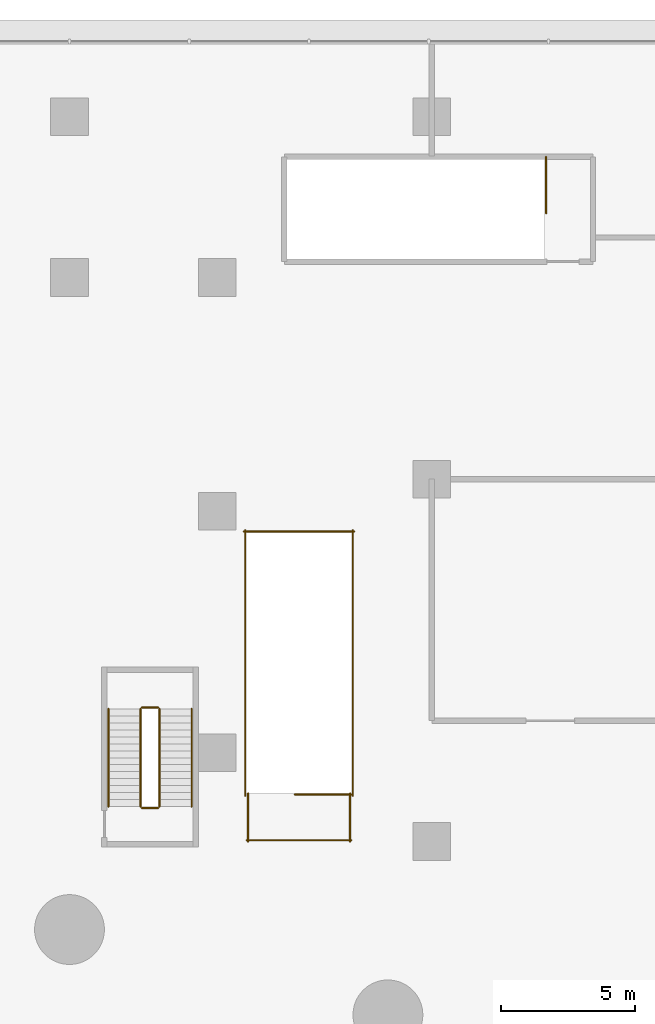
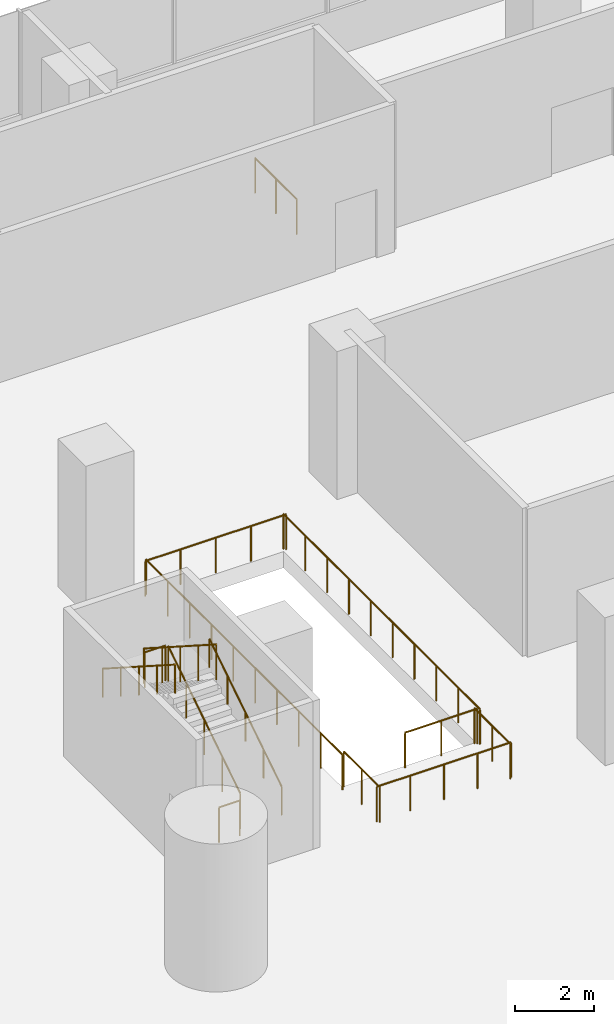
# One storey, part 37 of 38: 14 railings.
"""IFC4 building model written with IfcOpenShell, lengths in metres."""

from ifc_helpers import new_model, si_unit, direction, frame, origin, origin_2d, place, context, subcontext, project, spatial, circle, extrude, material, type_object, element, save


model = new_model("IFC4")

# Units and contexts
model_context = context("Model", 3, precision=1e-05, world=origin(), true_north=direction((0.0, 1.0)))
body_context = subcontext(model_context, "Body", "Model", "MODEL_VIEW")
ifc_project = project(units=[si_unit("LENGTHUNIT", "METRE"), si_unit("AREAUNIT", "SQUARE_METRE"), si_unit("VOLUMEUNIT", "CUBIC_METRE"), si_unit("PLANEANGLEUNIT", "RADIAN"), si_unit("MASSUNIT", "GRAM", prefix="KILO")], contexts=[model_context])

# Site, building, storey
site_placement = place(None, origin())
site = spatial("IfcSite", under=ifc_project, at=site_placement, CompositionType="ELEMENT")
building_placement = place(site_placement, origin())
building = spatial("IfcBuilding", under=site, at=building_placement, Name="Tamarind Cross Interchange Tower", CompositionType="ELEMENT")
storey_placement = place(building_placement, frame((0.0, 0.0, 20.0)))
storey = spatial("IfcBuildingStorey", under=building, at=storey_placement, Name="L03", CompositionType="ELEMENT", Elevation=20.0)

# Railings
ifc_material_1 = material(Name="Public stair guard")
railing_type_1 = type_object("IfcRailingType", Name="Public stair guard", PredefinedType="GUARDRAIL", material=ifc_material_1)
railing_1_placement = place(storey_placement, frame((10.5, 28.75, 0.0)))
element("IfcRailing", 1, at=railing_1_placement, inside=storey, type_object=railing_type_1, Name="L03 PS-N top well guard 1", PredefinedType="GUARDRAIL", context=body_context, shape_type="SweptSolid", body=[
    extrude(circle(Radius=0.02392578125, at=origin_2d()), frame((0.0, 0.0, 1.076171875), z_axis=(-1.0, 0.0, 0.0), x_axis=(0.0, -1.0, 0.0)), (0.0, 0.0, 1.0), 2.10009765625),
    extrude(circle(Radius=0.02099609375, at=origin_2d()), origin(), (0.0, 0.0, 1.0), 1.052001953125),
    extrude(circle(Radius=0.02099609375, at=origin_2d()), frame((-1.050048828125, 0.0, 0.0)), (0.0, 0.0, 1.0), 1.052001953125),
    extrude(circle(Radius=0.02099609375, at=origin_2d()), frame((-2.10009765625, 0.0, 0.0)), (0.0, 0.0, 1.0), 1.052001953125),
])
for number, where, name in (
    (2, (10.550048828125, 28.699951171875, 0.0), "L03 PS-N top well guard 2"),
    (3, (6.550048828125, 28.699951171875, 0.0), "L03 PS-N top well guard 3"),
):
    element("IfcRailing", number, at=place(storey_placement, frame(where)), inside=storey, type_object=railing_type_1, Name=name, PredefinedType="GUARDRAIL", context=body_context, shape_type="SweptSolid", body=[
        extrude(circle(Radius=0.02392578125, at=origin_2d()), frame((0.0, 0.0, 1.076171875), z_axis=(0.0, 1.0, 0.0), x_axis=(-1.0, 0.0, 0.0)), (0.0, 0.0, 1.0), 9.900146484375),
        extrude(circle(Radius=0.02099609375, at=origin_2d()), origin(), (0.0, 0.0, 1.0), 1.052001953125),
        extrude(circle(Radius=0.02099609375, at=origin_2d()), frame((0.0, 1.10009765625, 0.0)), (0.0, 0.0, 1.0), 1.052001953125),
        extrude(circle(Radius=0.02099609375, at=origin_2d()), frame((0.0, 2.199951171875, 0.0)), (0.0, 0.0, 1.0), 1.052001953125),
        extrude(circle(Radius=0.02099609375, at=origin_2d()), frame((0.0, 3.300048828125, 0.0)), (0.0, 0.0, 1.0), 1.052001953125),
        extrude(circle(Radius=0.02099609375, at=origin_2d()), frame((0.0, 4.400146484375, 0.0)), (0.0, 0.0, 1.0), 1.052001953125),
        extrude(circle(Radius=0.02099609375, at=origin_2d()), frame((0.0, 5.5, 0.0)), (0.0, 0.0, 1.0), 1.052001953125),
        extrude(circle(Radius=0.02099609375, at=origin_2d()), frame((0.0, 6.60009765625, 0.0)), (0.0, 0.0, 1.0), 1.052001953125),
        extrude(circle(Radius=0.02099609375, at=origin_2d()), frame((0.0, 7.7001953125, 0.0)), (0.0, 0.0, 1.0), 1.052001953125),
        extrude(circle(Radius=0.02099609375, at=origin_2d()), frame((0.0, 8.800048828125, 0.0)), (0.0, 0.0, 1.0), 1.052001953125),
        extrude(circle(Radius=0.02099609375, at=origin_2d()), frame((0.0, 9.900146484375, 0.0)), (0.0, 0.0, 1.0), 1.052001953125),
    ])
railing_2_placement = place(storey_placement, frame((10.60009765625, 38.550048828125, 0.0)))
element("IfcRailing", 4, at=railing_2_placement, inside=storey, type_object=railing_type_1, Name="L03 PS-N top well guard 4", PredefinedType="GUARDRAIL", context=body_context, shape_type="SweptSolid", body=[
    extrude(circle(Radius=0.02392578125, at=origin_2d()), frame((0.0, 0.0, 1.076171875), z_axis=(-1.0, 0.0, 0.0), x_axis=(0.0, -1.0, 0.0)), (0.0, 0.0, 1.0), 4.10009765625),
    extrude(circle(Radius=0.02099609375, at=origin_2d()), origin(), (0.0, 0.0, 1.0), 1.052001953125),
    extrude(circle(Radius=0.02099609375, at=origin_2d()), frame((-1.02490234375, 0.0, 0.0)), (0.0, 0.0, 1.0), 1.052001953125),
    extrude(circle(Radius=0.02099609375, at=origin_2d()), frame((-2.050048828125, 0.0, 0.0)), (0.0, 0.0, 1.0), 1.052001953125),
    extrude(circle(Radius=0.02099609375, at=origin_2d()), frame((-3.0751953125, 0.0, 0.0)), (0.0, 0.0, 1.0), 1.052001953125),
    extrude(circle(Radius=0.02099609375, at=origin_2d()), frame((-4.10009765625, 0.0, 0.0)), (0.0, 0.0, 1.0), 1.052001953125),
])
for number, where, name in (
    (5, (10.449951171875, 27.0, 0.0), "L03 PS-N top well guard 5"),
    (6, (6.64990234375, 27.0, 0.0), "L03 PS-N top well guard 6"),
):
    element("IfcRailing", number, at=place(storey_placement, frame(where)), inside=storey, type_object=railing_type_1, Name=name, PredefinedType="GUARDRAIL", context=body_context, shape_type="SweptSolid", body=[
        extrude(circle(Radius=0.02392578125, at=origin_2d()), frame((0.0, 0.0, 1.076171875), z_axis=(0.0, 1.0, 0.0), x_axis=(-1.0, 0.0, 0.0)), (0.0, 0.0, 1.0), 1.800048828125),
        extrude(circle(Radius=0.02099609375, at=origin_2d()), origin(), (0.0, 0.0, 1.0), 1.052001953125),
        extrude(circle(Radius=0.02099609375, at=origin_2d()), frame((0.0, 0.89990234375, 0.0)), (0.0, 0.0, 1.0), 1.052001953125),
        extrude(circle(Radius=0.02099609375, at=origin_2d()), frame((0.0, 1.800048828125, 0.0)), (0.0, 0.0, 1.0), 1.052001953125),
    ])
railing_3_placement = place(storey_placement, frame((10.5, 27.050048828125, 0.0)))
element("IfcRailing", 7, at=railing_3_placement, inside=storey, type_object=railing_type_1, Name="L03 PS-N top well guard 7", PredefinedType="GUARDRAIL", context=body_context, shape_type="SweptSolid", body=[
    extrude(circle(Radius=0.02392578125, at=origin_2d()), frame((0.0, 0.0, 1.076171875), z_axis=(-1.0, 0.0, 0.0), x_axis=(0.0, -1.0, 0.0)), (0.0, 0.0, 1.0), 3.89990234375),
    extrude(circle(Radius=0.02099609375, at=origin_2d()), origin(), (0.0, 0.0, 1.0), 1.052001953125),
    extrude(circle(Radius=0.02099609375, at=origin_2d()), frame((-0.97509765625, 0.0, 0.0)), (0.0, 0.0, 1.0), 1.052001953125),
    extrude(circle(Radius=0.02099609375, at=origin_2d()), frame((-1.949951171875, 0.0, 0.0)), (0.0, 0.0, 1.0), 1.052001953125),
    extrude(circle(Radius=0.02099609375, at=origin_2d()), frame((-2.9248046875, 0.0, 0.0)), (0.0, 0.0, 1.0), 1.052001953125),
    extrude(circle(Radius=0.02099609375, at=origin_2d()), frame((-3.89990234375, 0.0, 0.0)), (0.0, 0.0, 1.0), 1.052001953125),
])
railing_4_placement = place(storey_placement, frame((17.75, 52.5, 0.0)))
element("IfcRailing", 8, at=railing_4_placement, inside=storey, type_object=railing_type_1, Name="L03 XS-P03 top well guard 1", PredefinedType="GUARDRAIL", context=body_context, shape_type="SweptSolid", body=[
    extrude(circle(Radius=0.02392578125, at=origin_2d()), frame((0.0, 0.0, 1.076171875), z_axis=(0.0, -1.0, 0.0), x_axis=(1.0, 0.0, 0.0)), (0.0, 0.0, 1.0), 2.10009765625),
    extrude(circle(Radius=0.02099609375, at=origin_2d()), origin(), (0.0, 0.0, 1.0), 1.052001953125),
    extrude(circle(Radius=0.02099609375, at=origin_2d()), frame((0.0, -1.050048828125, 0.0)), (0.0, 0.0, 1.0), 1.052001953125),
    extrude(circle(Radius=0.02099609375, at=origin_2d()), frame((0.0, -2.10009765625, 0.0)), (0.0, 0.0, 1.0), 1.052001953125),
])
ifc_material_2 = material(Name="Stair guard")
railing_type_2 = type_object("IfcRailingType", Name="Stair guard", PredefinedType="GUARDRAIL", material=ifc_material_2)
railing_5_placement = place(storey_placement, frame((3.35009765625, 28.300048828125, 0.166748046875)))
element("IfcRailing", 9, at=railing_5_placement, inside=storey, type_object=railing_type_2, Name="L03 ST4 stair guard 1", PredefinedType="GUARDRAIL", context=body_context, shape_type="SweptSolid", body=[
    extrude(circle(Radius=0.02392578125, at=origin_2d()), frame((0.0, 0.0, 1.076171875), z_axis=(0.0, 0.841880454617, 0.539664062296), x_axis=(-1.0, 0.0, 0.0)), (0.0, 0.0, 1.0), 4.323486328125),
    extrude(circle(Radius=0.02099609375, at=origin_2d()), origin(), (0.0, 0.0, 1.0), 1.052001953125),
    extrude(circle(Radius=0.02099609375, at=origin_2d()), frame((0.0, 0.909912109375, 0.583251953125)), (0.0, 0.0, 1.0), 1.052001953125),
    extrude(circle(Radius=0.02099609375, at=origin_2d()), frame((0.0, 1.81982421875, 1.16650390625)), (0.0, 0.0, 1.0), 1.052001953125),
    extrude(circle(Radius=0.02099609375, at=origin_2d()), frame((0.0, 2.72998046875, 1.75)), (0.0, 0.0, 1.0), 1.052001953125),
    extrude(circle(Radius=0.02099609375, at=origin_2d()), frame((0.0, 3.639892578125, 2.333251953125)), (0.0, 0.0, 1.0), 1.052001953125),
])
railing_6_placement = place(storey_placement, frame((3.300048828125, 31.989990234375, 2.5)))
element("IfcRailing", 10, at=railing_6_placement, inside=storey, type_object=railing_type_2, Name="L03 ST4 stair guard 2", PredefinedType="GUARDRAIL", context=body_context, shape_type="SweptSolid", body=[
    extrude(circle(Radius=0.02392578125, at=origin_2d()), frame((0.0, 0.0, 1.076171875), z_axis=(-1.0, 0.0, 0.0), x_axis=(0.0, -1.0, 0.0)), (0.0, 0.0, 1.0), 0.60009765625),
    extrude(circle(Radius=0.02099609375, at=origin_2d()), origin(), (0.0, 0.0, 1.0), 1.052001953125),
    extrude(circle(Radius=0.02099609375, at=origin_2d()), frame((-0.60009765625, 0.0, 0.0)), (0.0, 0.0, 1.0), 1.052001953125),
])
railing_7_placement = place(storey_placement, frame((2.64990234375, 31.93994140625, 2.666748046875)))
element("IfcRailing", 11, at=railing_7_placement, inside=storey, type_object=railing_type_2, Name="L03 ST4 stair guard 3", PredefinedType="GUARDRAIL", context=body_context, shape_type="SweptSolid", body=[
    extrude(circle(Radius=0.02392578125, at=origin_2d()), frame((0.0, 0.0, 1.076171875), z_axis=(0.0, -0.841880454617, 0.539664062296), x_axis=(1.0, 0.0, 0.0)), (0.0, 0.0, 1.0), 4.323486328125),
    extrude(circle(Radius=0.02099609375, at=origin_2d()), origin(), (0.0, 0.0, 1.0), 1.052001953125),
    extrude(circle(Radius=0.02099609375, at=origin_2d()), frame((0.0, -0.909912109375, 0.583251953125)), (0.0, 0.0, 1.0), 1.052001953125),
    extrude(circle(Radius=0.02099609375, at=origin_2d()), frame((0.0, -1.81982421875, 1.16650390625)), (0.0, 0.0, 1.0), 1.052001953125),
    extrude(circle(Radius=0.02099609375, at=origin_2d()), frame((0.0, -2.72998046875, 1.75)), (0.0, 0.0, 1.0), 1.052001953125),
    extrude(circle(Radius=0.02099609375, at=origin_2d()), frame((0.0, -3.639892578125, 2.333251953125)), (0.0, 0.0, 1.0), 1.052001953125),
])
railing_8_placement = place(storey_placement, frame((3.300048828125, 28.25, 0.0)))
element("IfcRailing", 12, at=railing_8_placement, inside=storey, type_object=railing_type_2, Name="L03 ST4 stair guard 4", PredefinedType="GUARDRAIL", context=body_context, shape_type="SweptSolid", body=[
    extrude(circle(Radius=0.02392578125, at=origin_2d()), frame((0.0, 0.0, 1.076171875), z_axis=(-1.0, 0.0, 0.0), x_axis=(0.0, -1.0, 0.0)), (0.0, 0.0, 1.0), 0.60009765625),
    extrude(circle(Radius=0.02099609375, at=origin_2d()), origin(), (0.0, 0.0, 1.0), 1.052001953125),
    extrude(circle(Radius=0.02099609375, at=origin_2d()), frame((-0.60009765625, 0.0, 0.0)), (0.0, 0.0, 1.0), 1.052001953125),
])
ifc_material_3 = material(Name="Stair handrail")
railing_type_3 = type_object("IfcRailingType", Name="Stair handrail", PredefinedType="HANDRAIL", material=ifc_material_3)
railing_9_placement = place(storey_placement, frame((4.550048828125, 28.300048828125, 0.166748046875)))
element("IfcRailing", 13, at=railing_9_placement, inside=storey, type_object=railing_type_3, Name="L03 ST4 stair handrail 1", PredefinedType="HANDRAIL", context=body_context, shape_type="SweptSolid", body=[
    extrude(circle(Radius=0.02392578125, at=origin_2d()), frame((0.0, 0.0, 0.8759765625), z_axis=(0.0, 0.841880454617, 0.539664062296), x_axis=(-1.0, 0.0, 0.0)), (0.0, 0.0, 1.0), 4.323486328125),
    extrude(circle(Radius=0.02099609375, at=origin_2d()), origin(), (0.0, 0.0, 1.0), 0.851806640625),
    extrude(circle(Radius=0.02099609375, at=origin_2d()), frame((0.0, 0.909912109375, 0.583251953125)), (0.0, 0.0, 1.0), 0.851806640625),
    extrude(circle(Radius=0.02099609375, at=origin_2d()), frame((0.0, 1.81982421875, 1.16650390625)), (0.0, 0.0, 1.0), 0.851806640625),
    extrude(circle(Radius=0.02099609375, at=origin_2d()), frame((0.0, 2.72998046875, 1.75)), (0.0, 0.0, 1.0), 0.851806640625),
    extrude(circle(Radius=0.02099609375, at=origin_2d()), frame((0.0, 3.639892578125, 2.333251953125)), (0.0, 0.0, 1.0), 0.851806640625),
])
railing_10_placement = place(storey_placement, frame((1.449951171875, 31.93994140625, 2.666748046875)))
element("IfcRailing", 14, at=railing_10_placement, inside=storey, type_object=railing_type_3, Name="L03 ST4 stair handrail 2", PredefinedType="HANDRAIL", context=body_context, shape_type="SweptSolid", body=[
    extrude(circle(Radius=0.02392578125, at=origin_2d()), frame((0.0, 0.0, 0.8759765625), z_axis=(0.0, -0.841880454617, 0.539664062296), x_axis=(1.0, 0.0, 0.0)), (0.0, 0.0, 1.0), 4.323486328125),
    extrude(circle(Radius=0.02099609375, at=origin_2d()), origin(), (0.0, 0.0, 1.0), 0.851806640625),
    extrude(circle(Radius=0.02099609375, at=origin_2d()), frame((0.0, -0.909912109375, 0.583251953125)), (0.0, 0.0, 1.0), 0.851806640625),
    extrude(circle(Radius=0.02099609375, at=origin_2d()), frame((0.0, -1.81982421875, 1.16650390625)), (0.0, 0.0, 1.0), 0.851806640625),
    extrude(circle(Radius=0.02099609375, at=origin_2d()), frame((0.0, -2.72998046875, 1.75)), (0.0, 0.0, 1.0), 0.851806640625),
    extrude(circle(Radius=0.02099609375, at=origin_2d()), frame((0.0, -3.639892578125, 2.333251953125)), (0.0, 0.0, 1.0), 0.851806640625),
])

save(model, "model.ifc")
